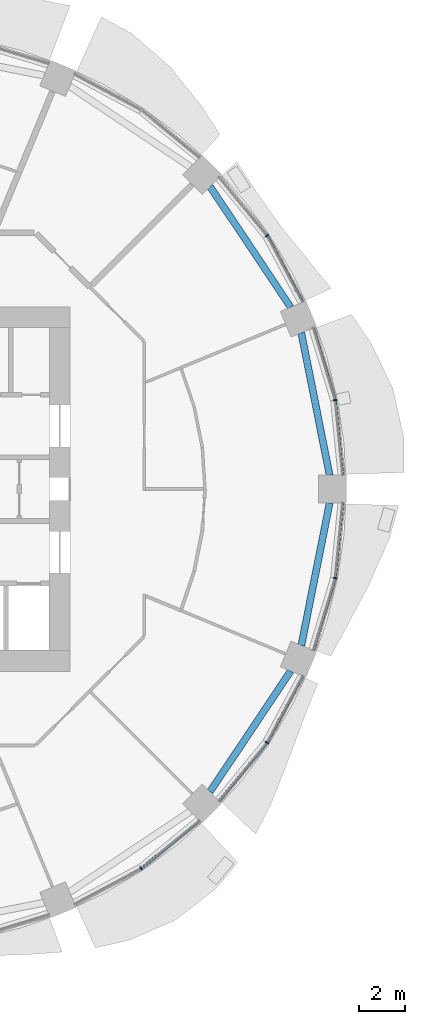
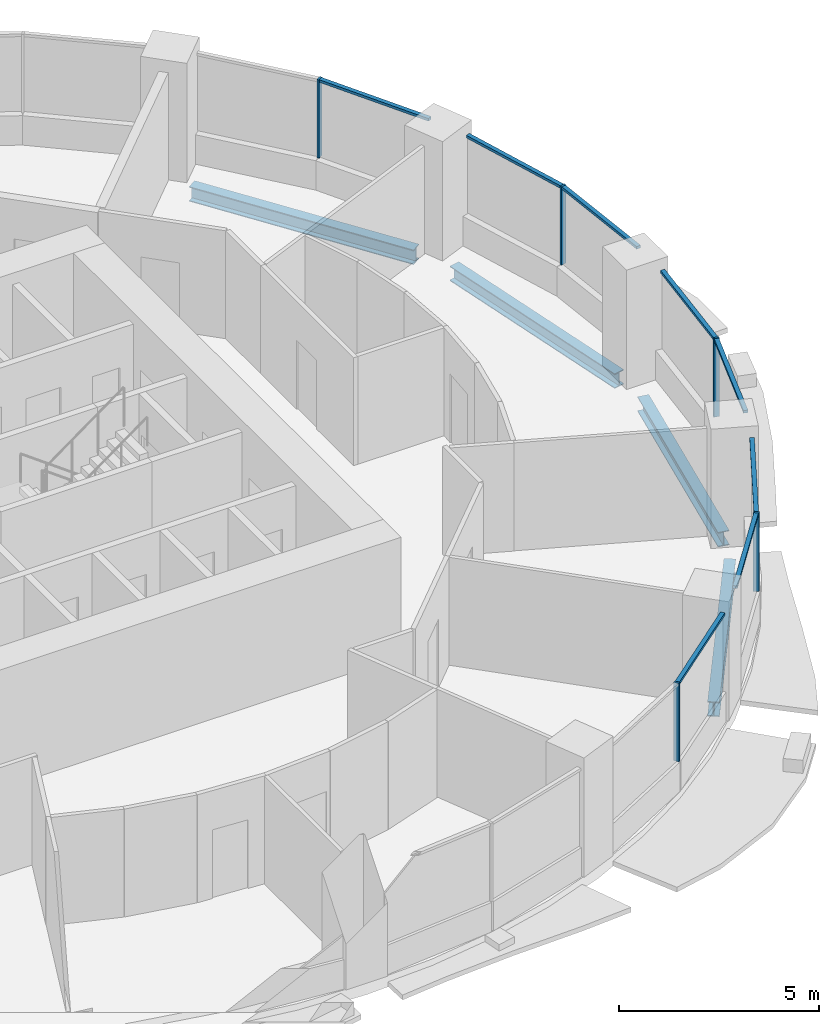
# One storey, part 5 of 15: 13 members, 4 beams, 5 elements without a shape of their own.
"""IFC4 building model written with IfcOpenShell, lengths in metres."""

from ifc_helpers import new_model, si_unit, direction, frame, origin, origin_2d, place, context, subcontext, project, spatial, rectangle, i_section, extrude, material, material_profile, profile_set, type_object, element, aggregate, save


model = new_model("IFC4")

# Units and contexts
model_context = context("Model", 3, precision=1e-05, world=origin(), true_north=direction((0.0, 1.0)))
body_context = subcontext(model_context, "Body", "Model", "MODEL_VIEW")
ifc_project = project(units=[si_unit("LENGTHUNIT", "METRE"), si_unit("AREAUNIT", "SQUARE_METRE"), si_unit("VOLUMEUNIT", "CUBIC_METRE"), si_unit("PLANEANGLEUNIT", "RADIAN"), si_unit("MASSUNIT", "GRAM", prefix="KILO")], contexts=[model_context])

# Site, building, storey
site_placement = place(None, origin())
site = spatial("IfcSite", under=ifc_project, at=site_placement, CompositionType="ELEMENT")
building_placement = place(site_placement, origin())
building = spatial("IfcBuilding", under=site, at=building_placement, Name="Polderwave Tower", CompositionType="ELEMENT")
storey_placement = place(building_placement, frame((0.0, 0.0, 29.85009765625)))
storey = spatial("IfcBuildingStorey", under=building, at=storey_placement, Name="L07", CompositionType="ELEMENT", Elevation=29.85009765625)

# Curtain wall, member
ifc_material_1 = material(Name="Aluminium 6063-T6 and glass", Category="aluminium")
curtain_wall_type = type_object("IfcCurtainWallType", Name="Growing floor ribbon glazing wall", PredefinedType="NOTDEFINED", material=ifc_material_1)
curtain_wall_1_placement = place(storey_placement, origin())
curtain_wall_1 = element("IfcCurtainWall", 1, at=curtain_wall_1_placement, inside=storey, type_object=curtain_wall_type, Name="CW2 L07 00", PredefinedType="NOTDEFINED")
ifc_material_2 = material(Name="Aluminium 6063-T6", Category="aluminium")
ifc_material_profile_1 = material_profile(ifc_material_2, rectangle(XDim=0.14990234375, YDim=0.06005859375, at=origin_2d()), Name="AL 60x150")
ifc_profile_set_1 = profile_set([ifc_material_profile_1], Name="Aluminium 6063-T6")
member_type_1 = type_object("IfcMemberType", Name="Growing floor ribbon glazing mullion 60x150", PredefinedType="MULLION", material=ifc_profile_set_1)
member_1_placement = place(storey_placement, frame((19.321044921875, 3.843017578125, 0.89990234375), z_axis=(0.0, 0.0, 1.0), x_axis=(-0.980771658139, -0.19515879327, 0.0)))
member_1 = element("IfcMember", 2, at=member_1_placement, type_object=member_type_1, Name="CW2 mullion 1", PredefinedType="MULLION", context=body_context, shape_type="SweptSolid", body=[
    extrude(rectangle(XDim=0.14990234375, YDim=0.06005859375, at=origin_2d()), origin(), (0.0, 0.0, 1.0), 2.39990234375),
])

curtain_wall_2_placement = place(storey_placement, origin())
curtain_wall_2 = element("IfcCurtainWall", 3, at=curtain_wall_2_placement, inside=storey, type_object=curtain_wall_type, Name="CW2 L07 01", PredefinedType="NOTDEFINED")
member_2_placement = place(storey_placement, frame((16.3798828125, 10.945068359375, 0.89990234375), z_axis=(0.0, 0.0, 1.0), x_axis=(-0.831436642637, -0.555619572441, 0.0)))
member_2 = element("IfcMember", 4, at=member_2_placement, type_object=member_type_1, Name="CW2 mullion 1", PredefinedType="MULLION", context=body_context, shape_type="SweptSolid", body=[
    extrude(rectangle(XDim=0.14990234375, YDim=0.06005859375, at=origin_2d()), origin(), (0.0, 0.0, 1.0), 2.39990234375),
])

curtain_wall_3_placement = place(storey_placement, origin())
curtain_wall_3 = element("IfcCurtainWall", 5, at=curtain_wall_3_placement, inside=storey, type_object=curtain_wall_type, Name="CW2 L07 13", PredefinedType="NOTDEFINED")
member_3_placement = place(storey_placement, frame((10.945068359375, -16.3798828125, 0.89990234375), z_axis=(0.0, 0.0, 1.0), x_axis=(-0.555619572441, 0.831436642637, 0.0)))
member_3 = element("IfcMember", 6, at=member_3_placement, type_object=member_type_1, Name="CW2 mullion 1", PredefinedType="MULLION", context=body_context, shape_type="SweptSolid", body=[
    extrude(rectangle(XDim=0.14990234375, YDim=0.06005859375, at=origin_2d()), origin(), (0.0, 0.0, 1.0), 2.39990234375),
])

curtain_wall_4_placement = place(storey_placement, origin())
curtain_wall_4 = element("IfcCurtainWall", 7, at=curtain_wall_4_placement, inside=storey, type_object=curtain_wall_type, Name="CW2 L07 14", PredefinedType="NOTDEFINED")
member_4_placement = place(storey_placement, frame((16.3798828125, -10.945068359375, 0.89990234375), z_axis=(0.0, 0.0, 1.0), x_axis=(-0.831436642637, 0.555619572441, 0.0)))
member_4 = element("IfcMember", 8, at=member_4_placement, type_object=member_type_1, Name="CW2 mullion 1", PredefinedType="MULLION", context=body_context, shape_type="SweptSolid", body=[
    extrude(rectangle(XDim=0.14990234375, YDim=0.06005859375, at=origin_2d()), origin(), (0.0, 0.0, 1.0), 2.39990234375),
])

curtain_wall_5_placement = place(storey_placement, origin())
curtain_wall_5 = element("IfcCurtainWall", 9, at=curtain_wall_5_placement, inside=storey, type_object=curtain_wall_type, Name="CW2 L07 15", PredefinedType="NOTDEFINED")
member_5_placement = place(storey_placement, frame((19.321044921875, -3.843017578125, 0.89990234375), z_axis=(0.0, 0.0, 1.0), x_axis=(-0.980771658139, 0.19515879327, 0.0)))
member_5 = element("IfcMember", 10, at=member_5_placement, type_object=member_type_1, Name="CW2 mullion 1", PredefinedType="MULLION", context=body_context, shape_type="SweptSolid", body=[
    extrude(rectangle(XDim=0.14990234375, YDim=0.06005859375, at=origin_2d()), origin(), (0.0, 0.0, 1.0), 2.39990234375),
])

# Member
ifc_material_profile_2 = material_profile(ifc_material_2, rectangle(XDim=0.1201171875, YDim=0.080078125, at=origin_2d()), Name="AL 80x120")
ifc_profile_set_2 = profile_set([ifc_material_profile_2], Name="Aluminium 6063-T6")
member_type_2 = type_object("IfcMemberType", Name="Growing floor ribbon glazing transom 80x120", PredefinedType="USERDEFINED", material=ifc_profile_set_2)
member_6_placement = place(storey_placement, frame((19.64111328125, 0.60009765625, 3.260009765625), z_axis=(-0.098230820031, 0.995163657896, 0.0), x_axis=(-0.995163657896, -0.098230820031, 0.0)))
member_6 = element("IfcMember", 11, at=member_6_placement, type_object=member_type_2, Name="CW2 transom 1", ObjectType="TRANSOM", PredefinedType="USERDEFINED", context=body_context, shape_type="SweptSolid", body=[
    extrude(rectangle(XDim=0.1201171875, YDim=0.080078125, at=origin_2d()), origin(), (0.0, 0.0, 1.0), 3.228515625),
])

member_7_placement = place(storey_placement, frame((19.312255859375, 3.87158203125, 3.260009765625), z_axis=(-0.290231901029, 0.956956343636, 0.0), x_axis=(-0.956956343636, -0.290231901029, 0.0)))
member_7 = element("IfcMember", 12, at=member_7_placement, type_object=member_type_2, Name="CW2 transom 2", ObjectType="TRANSOM", PredefinedType="USERDEFINED", context=body_context, shape_type="SweptSolid", body=[
    extrude(rectangle(XDim=0.1201171875, YDim=0.080078125, at=origin_2d()), origin(), (0.0, 0.0, 1.0), 3.229248046875),
])

aggregate(curtain_wall_1, [member_1, member_6, member_7])

member_8_placement = place(storey_placement, frame((17.916015625, 8.071044921875, 3.260009765625), z_axis=(-0.471396538118, 0.88192137056, 0.0), x_axis=(-0.88192137056, -0.471396538118, 0.0)))
member_8 = element("IfcMember", 13, at=member_8_placement, type_object=member_type_2, Name="CW2 transom 1", ObjectType="TRANSOM", PredefinedType="USERDEFINED", context=body_context, shape_type="SweptSolid", body=[
    extrude(rectangle(XDim=0.1201171875, YDim=0.080078125, at=origin_2d()), origin(), (0.0, 0.0, 1.0), 3.228759765625),
])

aggregate(curtain_wall_2, [member_2, member_8])

member_9_placement = place(storey_placement, frame((10.96826171875, -16.361083984375, 3.260009765625), z_axis=(0.772891772245, 0.634537869946, 0.0), x_axis=(-0.634537869946, 0.772891772245, 0.0)))
member_9 = element("IfcMember", 14, at=member_9_placement, type_object=member_type_2, Name="CW2 transom 2", ObjectType="TRANSOM", PredefinedType="USERDEFINED", context=body_context, shape_type="SweptSolid", body=[
    extrude(rectangle(XDim=0.1201171875, YDim=0.080078125, at=origin_2d()), origin(), (0.0, 0.0, 1.0), 3.229248046875),
])

aggregate(curtain_wall_3, [member_3, member_9])

member_10_placement = place(storey_placement, frame((14.31201171875, -13.464111328125, 3.260009765625), z_axis=(0.634537869946, 0.772891772245, 0.0), x_axis=(-0.772891772245, 0.634537869946, 0.0)))
member_10 = element("IfcMember", 15, at=member_10_placement, type_object=member_type_2, Name="CW2 transom 1", ObjectType="TRANSOM", PredefinedType="USERDEFINED", context=body_context, shape_type="SweptSolid", body=[
    extrude(rectangle(XDim=0.1201171875, YDim=0.080078125, at=origin_2d()), origin(), (0.0, 0.0, 1.0), 3.229248046875),
])

member_11_placement = place(storey_placement, frame((16.39404296875, -10.91845703125, 3.260009765625), z_axis=(0.471396538118, 0.88192137056, 0.0), x_axis=(-0.88192137056, 0.471396538118, 0.0)))
member_11 = element("IfcMember", 16, at=member_11_placement, type_object=member_type_2, Name="CW2 transom 2", ObjectType="TRANSOM", PredefinedType="USERDEFINED", context=body_context, shape_type="SweptSolid", body=[
    extrude(rectangle(XDim=0.1201171875, YDim=0.080078125, at=origin_2d()), origin(), (0.0, 0.0, 1.0), 3.228759765625),
])

aggregate(curtain_wall_4, [member_4, member_10, member_11])

member_12_placement = place(storey_placement, frame((18.375, -6.9619140625, 3.260009765625), z_axis=(0.290231901029, 0.956956343636, 0.0), x_axis=(-0.956956343636, 0.290231901029, 0.0)))
member_12 = element("IfcMember", 17, at=member_12_placement, type_object=member_type_2, Name="CW2 transom 1", ObjectType="TRANSOM", PredefinedType="USERDEFINED", context=body_context, shape_type="SweptSolid", body=[
    extrude(rectangle(XDim=0.1201171875, YDim=0.080078125, at=origin_2d()), origin(), (0.0, 0.0, 1.0), 3.229248046875),
])

member_13_placement = place(storey_placement, frame((19.323974609375, -3.81298828125, 3.260009765625), z_axis=(0.098230820031, 0.995163657896, 0.0), x_axis=(-0.995163657896, 0.098230820031, 0.0)))
member_13 = element("IfcMember", 18, at=member_13_placement, type_object=member_type_2, Name="CW2 transom 2", ObjectType="TRANSOM", PredefinedType="USERDEFINED", context=body_context, shape_type="SweptSolid", body=[
    extrude(rectangle(XDim=0.1201171875, YDim=0.080078125, at=origin_2d()), origin(), (0.0, 0.0, 1.0), 3.228515625),
])

aggregate(curtain_wall_5, [member_5, member_12, member_13])

# Beams
ifc_material_3 = material(Name="Steel S355", Category="steel")
ifc_material_profile_3 = material_profile(ifc_material_3, i_section(OverallWidth=0.300048828125, OverallDepth=0.449951171875, WebThickness=0.013916015625, FlangeThickness=0.02587890625, at=origin_2d()), Name="HE 450 B")
ifc_profile_set_3 = profile_set([ifc_material_profile_3], Name="Steel S355")
beam_type = type_object("IfcBeamType", Name="RING BEAM HE 450 B", PredefinedType="BEAM", material=ifc_profile_set_3)
beam_1_placement = place(storey_placement, frame((19.08056640625, 0.60009765625, -0.5751953125), z_axis=(-0.195067338291, 0.98078985187, 0.0), x_axis=(-0.98078985187, -0.195067338291, 0.0)))
element("IfcBeam", 19, at=beam_1_placement, inside=storey, type_object=beam_type, Name="ST-RB-L07-00", PredefinedType="BEAM", context=body_context, shape_type="SweptSolid", body=[
    extrude(i_section(OverallWidth=0.300048828125, OverallDepth=0.449951171875, WebThickness=0.013916015625, FlangeThickness=0.02587890625, at=origin_2d()), origin(), (0.0, 0.0, 1.0), 6.267822265625),
])
for number, where, z_axis, x_axis, name in (
    (20, (17.398681640625, 7.856201171875, -0.5751953125), (-0.555580751359, 0.831462584076, 0.0), (-0.831462584076, -0.555580751359, 0.0), "ST-RB-L07-01"),
    (21, (13.916259765625, -13.06787109375, -0.5751953125), (0.555580751359, 0.831462584076, 0.0), (-0.831462584076, 0.555580751359, 0.0), "ST-RB-L07-14"),
):
    element("IfcBeam", number, at=place(storey_placement, frame(where, z_axis=z_axis, x_axis=x_axis)), inside=storey, type_object=beam_type, Name=name, PredefinedType="BEAM", context=body_context, shape_type="SweptSolid", body=[
        extrude(i_section(OverallWidth=0.300048828125, OverallDepth=0.449951171875, WebThickness=0.013916015625, FlangeThickness=0.02587890625, at=origin_2d()), origin(), (0.0, 0.0, 1.0), 6.26806640625),
    ])
beam_2_placement = place(storey_placement, frame((17.85791015625, -6.74755859375, -0.5751953125), z_axis=(0.195067338291, 0.98078985187, 0.0), x_axis=(-0.98078985187, 0.195067338291, 0.0)))
element("IfcBeam", 22, at=beam_2_placement, inside=storey, type_object=beam_type, Name="ST-RB-L07-15", PredefinedType="BEAM", context=body_context, shape_type="SweptSolid", body=[
    extrude(i_section(OverallWidth=0.300048828125, OverallDepth=0.449951171875, WebThickness=0.013916015625, FlangeThickness=0.02587890625, at=origin_2d()), origin(), (0.0, 0.0, 1.0), 6.267822265625),
])

save(model, "model.ifc")
